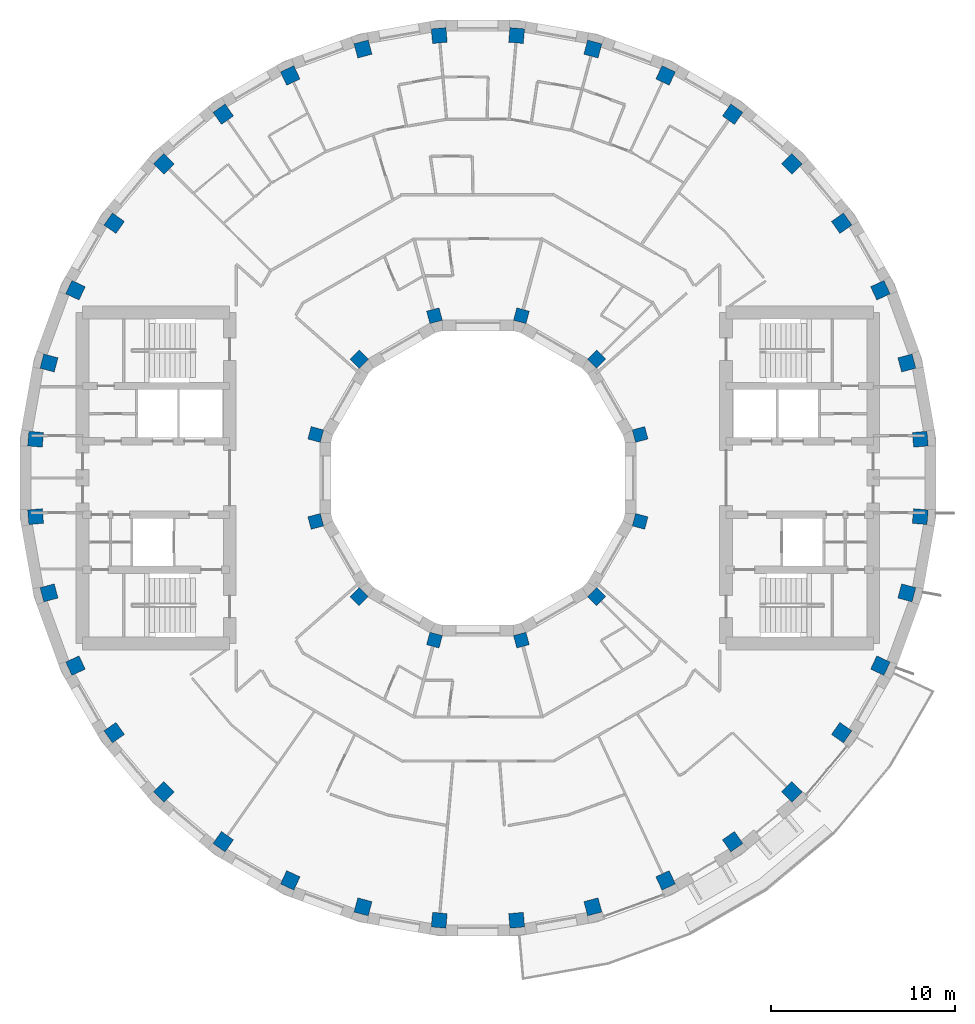
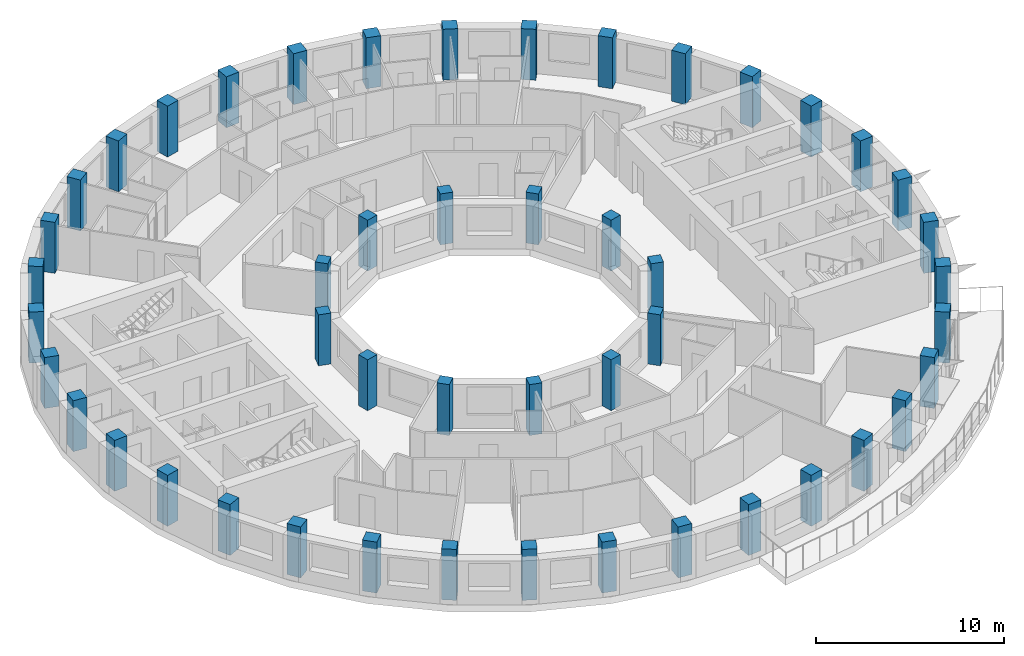
# One storey, part 1 of 15: 48 columns.
"""IFC4 building model written with IfcOpenShell, lengths in metres."""

import ifcopenshell
import ifcopenshell.guid

model = None  # the IFC model being written
_history = None  # IfcOwnerHistory: only IFC2X3 demands one
_inside = {}  # id of a spatial element -> (the spatial element, [elements in it])
_under = {}  # id of a project, library or spatial element -> (it, [spatial elements below it])
_declared = {}  # id of a project -> (the project, [libraries it declares])
_typed = {}  # id of a type object -> (the type object, [elements of that type])
_made_of = {}  # id of a material, layer set ... -> (it, [elements and type objects made of it])


def new_model(schema):
    """Start an empty IFC model of exactly this schema.

    Asked for "IFC4X3", IfcOpenShell would pick the latest addendum, in which some entities
    have other attributes; the version numbers below select the first issue.
    IFC2X3 requires an IfcOwnerHistory on every rooted entity: one is made here for all.
    """
    global model, _history
    if schema == "IFC4X3":
        model = ifcopenshell.file(schema_version=(4, 3, 0, 0))
    else:
        model = ifcopenshell.file(schema=schema)
    _inside.clear()
    _under.clear()
    _declared.clear()
    _typed.clear()
    _made_of.clear()
    _history = None
    if model.schema == "IFC2X3":
        org = make("IfcOrganization", Name="unknown")
        user = make(
            "IfcPersonAndOrganization",
            ThePerson=make("IfcPerson", FamilyName="unknown"),
            TheOrganization=org,
        )
        app = make(
            "IfcApplication",
            ApplicationDeveloper=org,
            Version="unknown",
            ApplicationFullName="unknown",
            ApplicationIdentifier="unknown",
        )
        _history = make(
            "IfcOwnerHistory",
            OwningUser=user,
            OwningApplication=app,
            ChangeAction="ADDED",
            CreationDate=0,
        )
    return model


def make(cls, **values):
    """One entity of the class cls with the attributes given. An attribute that is None is left unset."""
    return model.create_entity(
        cls, **{name: value for name, value in values.items() if value is not None}
    )


def rooted(cls, **values):
    """An entity with a GlobalId (a new one), such as an element, a storey or a relation."""
    return make(cls, GlobalId=ifcopenshell.guid.new(), OwnerHistory=_history, **values)


def si_unit(unit_type, name, prefix=None):
    """IfcSIUnit, for example si_unit("LENGTHUNIT", "METRE", prefix="MILLI")."""
    return make("IfcSIUnit", UnitType=unit_type, Prefix=prefix, Name=name)


def assignment(units):
    """IfcUnitAssignment: the units of a project."""
    return None if units is None else make("IfcUnitAssignment", Units=units)


def point(xyz):
    """IfcCartesianPoint."""
    return None if xyz is None else make("IfcCartesianPoint", Coordinates=xyz)


def direction(xyz):
    """IfcDirection."""
    return None if xyz is None else make("IfcDirection", DirectionRatios=xyz)


def frame(location, z_axis=None, x_axis=None):
    """IfcAxis2Placement3D, a coordinate frame: its origin and axes. An axis left out is left unset."""
    return make(
        "IfcAxis2Placement3D",
        Location=point(location),
        Axis=direction(z_axis),
        RefDirection=direction(x_axis),
    )


def frame_2d(location, x_axis=None):
    """IfcAxis2Placement2D, a coordinate frame in the plane: its origin and x axis."""
    return make(
        "IfcAxis2Placement2D", Location=point(location), RefDirection=direction(x_axis)
    )


def origin():
    """The frame at (0, 0, 0) with its axes left unset."""
    return frame((0.0, 0.0, 0.0))


def origin_2d():
    """The frame at (0, 0) in the plane with its x axis left unset."""
    return frame_2d((0.0, 0.0))


def place(relative_to, where):
    """IfcLocalPlacement: puts the frame where relative to a parent placement (None: the world)."""
    return make(
        "IfcLocalPlacement", PlacementRelTo=relative_to, RelativePlacement=where
    )


def context(
    kind, dimensions, precision=None, world=None, true_north=None, identifier=None
):
    """IfcGeometricRepresentationContext, for example the 3D "Model" context."""
    return make(
        "IfcGeometricRepresentationContext",
        ContextIdentifier=identifier,
        ContextType=kind,
        CoordinateSpaceDimension=dimensions,
        Precision=precision,
        WorldCoordinateSystem=world,
        TrueNorth=true_north,
    )


def subcontext(parent, identifier, kind, view, scale=None):
    """IfcGeometricRepresentationSubContext, for example "Body" below "Model"."""
    return make(
        "IfcGeometricRepresentationSubContext",
        ContextIdentifier=identifier,
        ContextType=kind,
        ParentContext=parent,
        TargetScale=scale,
        TargetView=view,
    )


def project(units=None, contexts=None):
    """IfcProject with its units and contexts."""
    return rooted(
        "IfcProject",
        Name="project",
        RepresentationContexts=contexts,
        UnitsInContext=assignment(units),
    )


def spatial(cls, under=None, at=None, **own):
    """A site, building, storey or space (cls), placed at a placement, below another one or the project."""
    s = rooted(cls, ObjectPlacement=at, **own)
    if under is not None:
        _under.setdefault(under.id(), (under, []))[1].append(s)
    return s


def profile(cls, at=None, kind="AREA", **sizes):
    """A parametric profile (cls). Its sizes go by their IFC names, for example OverallWidth=200.0."""
    return make(cls, ProfileType=kind, Position=at, **sizes)


def rectangle(**sizes):
    """IfcRectangleProfileDef."""
    return profile("IfcRectangleProfileDef", **sizes)


def extrude(swept, where, along, depth):
    """IfcExtrudedAreaSolid: the profile swept, set in the frame where, extruded along a direction by depth."""
    return make(
        "IfcExtrudedAreaSolid",
        SweptArea=swept,
        Position=where,
        ExtrudedDirection=direction(along),
        Depth=depth,
    )


def shape(context_of_items, identifier, shape_type, items):
    """IfcShapeRepresentation: the items that make up one representation, for example the "Body"."""
    return make(
        "IfcShapeRepresentation",
        ContextOfItems=context_of_items,
        RepresentationIdentifier=identifier,
        RepresentationType=shape_type,
        Items=items,
    )


def material(Name=None, Category=None):
    """IfcMaterial."""
    return make("IfcMaterial", Name=Name, Category=Category)


def material_profile(
    of_material, cross_section, Name=None, Category=None, Priority=None
):
    """IfcMaterialProfile: a cross section and its material."""
    return make(
        "IfcMaterialProfile",
        Name=Name,
        Material=of_material,
        Profile=cross_section,
        Priority=Priority,
        Category=Category,
    )


def profile_set(profiles, Name=None, composite=None):
    """IfcMaterialProfileSet."""
    return make(
        "IfcMaterialProfileSet",
        Name=Name,
        MaterialProfiles=profiles,
        CompositeProfile=composite,
    )


def made_of(thing, what):
    """Note that an element or type object is made of a material, layer set ...; save() writes the relation."""
    if what is not None:
        _made_of.setdefault(what.id(), (what, []))[1].append(thing)
    return thing


def type_object(cls, material=None, **own):
    """A type object (cls), such as IfcWallType, which elements share."""
    return made_of(rooted(cls, **own), material)


def element(
    cls,
    number,
    at=None,
    inside=None,
    cuts=None,
    type_object=None,
    material=None,
    context=None,
    identifier="Body",
    shape_type=None,
    held_by="IfcProductDefinitionShape",
    body=None,
    shapes=None,
    **own,
):
    """One element of the class cls, such as IfcWall. Its Tag is "e" and its number.

    at: its placement. inside: the storey or other place that contains it. cuts: it is an
    opening in that element (IfcRelVoidsElement). A single representation is given by context,
    identifier, shape_type and body (its items); several are given by shapes. held_by: the class
    of the entity that holds the representations. save() writes the other relations.
    """
    e = rooted(cls, Tag="e%d" % number, ObjectPlacement=at, **own)
    if body is not None:
        shapes = [shape(context, identifier, shape_type, body)]
    if shapes is not None:
        e.Representation = make(held_by, Representations=shapes)
    if inside is not None:
        _inside.setdefault(inside.id(), (inside, []))[1].append(e)
    if cuts is not None:
        rooted(
            "IfcRelVoidsElement", RelatingBuildingElement=cuts, RelatedOpeningElement=e
        )
    if type_object is not None:
        _typed.setdefault(type_object.id(), (type_object, []))[1].append(e)
    return made_of(e, material)


def aggregate(whole, parts):
    """IfcRelAggregates: a whole, such as a stair, and the parts it consists of."""
    return rooted("IfcRelAggregates", RelatingObject=whole, RelatedObjects=parts)


def save(model, path):
    """Write the relations noted so far, then the file.

    IfcRelAggregates (storeys below a building ...), IfcRelContainedInSpatialStructure (elements
    in a storey), IfcRelDefinesByType, IfcRelAssociatesMaterial and IfcRelDeclares: one each for
    every whole, place, type object, material and project.
    """
    for whole, parts in _under.values():
        aggregate(whole, parts)
    for where, things in _inside.values():
        rooted(
            "IfcRelContainedInSpatialStructure",
            RelatedElements=things,
            RelatingStructure=where,
        )
    for kind, things in _typed.values():
        rooted("IfcRelDefinesByType", RelatedObjects=things, RelatingType=kind)
    for what, things in _made_of.values():
        rooted("IfcRelAssociatesMaterial", RelatedObjects=things, RelatingMaterial=what)
    for by, libraries in _declared.values():
        rooted("IfcRelDeclares", RelatingContext=by, RelatedDefinitions=libraries)
    model.write(path)


model = new_model("IFC4")

# Units and contexts
model_context = context("Model", 3, precision=1e-05, world=origin(), true_north=direction((0.0, 1.0)))
body_context = subcontext(model_context, "Body", "Model", "MODEL_VIEW")
ifc_project = project(units=[si_unit("LENGTHUNIT", "METRE"), si_unit("AREAUNIT", "SQUARE_METRE"), si_unit("VOLUMEUNIT", "CUBIC_METRE"), si_unit("PLANEANGLEUNIT", "RADIAN"), si_unit("MASSUNIT", "GRAM", prefix="KILO")], contexts=[model_context])

# Site, building, storey
site_placement = place(None, origin())
site = spatial("IfcSite", under=ifc_project, at=site_placement, CompositionType="ELEMENT")
building_placement = place(site_placement, origin())
building = spatial("IfcBuilding", under=site, at=building_placement, Name="Saqina Gate Tower", CompositionType="ELEMENT")
storey_placement = place(building_placement, frame((0.0, 0.0, 167.39990234375)))
storey = spatial("IfcBuildingStorey", under=building, at=storey_placement, Name="L47", CompositionType="ELEMENT", Elevation=167.39990234375)

# Columns
ifc_material_1 = material(Name="Concrete C60/75", Category="concrete")
ifc_material_profile_1 = material_profile(ifc_material_1, rectangle(XDim=0.699951171875, YDim=0.699951171875, at=origin_2d()), Name="RC 700x700")
ifc_profile_set_1 = profile_set([ifc_material_profile_1], Name="Concrete C60/75")
column_type_1 = type_object("IfcColumnType", Name="STR-COL-IN-C", PredefinedType="COLUMN", material=ifc_profile_set_1)
for number, where, z_axis, x_axis, name in (
    (1, (8.821044921875, 2.363525390625, 0.0), (0.0, 0.0, 1.0), (0.965925826289, 0.258819045103, 0.0), "L47-ICL01"),
    (2, (6.45751953125, 6.45751953125, 0.0), (0.0, 0.0, 1.0), (0.707106781187, 0.707106781187, 0.0), "L47-ICL02"),
    (3, (2.363525390625, 8.821044921875, 0.0), (0.0, 0.0, 1.0), (0.258819045103, 0.965925826289, 0.0), "L47-ICL03"),
    (4, (-2.363525390625, 8.821044921875, 0.0), (0.0, 0.0, 1.0), (-0.258819045103, 0.965925826289, 0.0), "L47-ICL04"),
    (5, (-6.45751953125, 6.45751953125, 0.0), (0.0, 0.0, 1.0), (-0.707106781187, 0.707106781187, 0.0), "L47-ICL05"),
    (6, (-8.821044921875, 2.363525390625, 0.0), (0.0, 0.0, 1.0), (-0.965925826289, 0.258819045103, 0.0), "L47-ICL06"),
    (7, (-8.821044921875, -2.363525390625, 0.0), (0.0, 0.0, 1.0), (-0.965925826289, -0.258819045103, 0.0), "L47-ICL07"),
    (8, (-6.45751953125, -6.45751953125, 0.0), (0.0, 0.0, 1.0), (-0.707106781187, -0.707106781187, 0.0), "L47-ICL08"),
    (9, (-2.363525390625, -8.821044921875, 0.0), (0.0, 0.0, 1.0), (-0.258819045103, -0.965925826289, 0.0), "L47-ICL09"),
    (10, (2.363525390625, -8.821044921875, 0.0), (0.0, 0.0, 1.0), (0.258819045103, -0.965925826289, 0.0), "L47-ICL10"),
    (11, (6.45751953125, -6.45751953125, 0.0), (0.0, 0.0, 1.0), (0.707106781187, -0.707106781187, 0.0), "L47-ICL11"),
    (12, (8.821044921875, -2.363525390625, 0.0), (0.0, 0.0, 1.0), (0.965925826289, -0.258819045103, 0.0), "L47-ICL12"),
):
    element("IfcColumn", number, at=place(storey_placement, frame(where, z_axis=z_axis, x_axis=x_axis)), inside=storey, type_object=column_type_1, Name=name, PredefinedType="COLUMN", context=body_context, shape_type="SweptSolid", body=[
        extrude(rectangle(XDim=0.699951171875, YDim=0.699951171875, at=origin_2d()), origin(), (0.0, 0.0, 1.0), 3.300048828125),
    ])
ifc_material_2 = material(Name="Concrete C60/75", Category="concrete")
ifc_material_profile_2 = material_profile(ifc_material_2, rectangle(XDim=0.800048828125, YDim=0.800048828125, at=origin_2d()), Name="RC 800x800")
ifc_profile_set_2 = profile_set([ifc_material_profile_2], Name="Concrete C60/75")
column_type_2 = type_object("IfcColumnType", Name="STR-COL-OUT-C", PredefinedType="COLUMN", material=ifc_profile_set_2)
for number, where, z_axis, x_axis, name in (
    (13, (24.05810546875, 2.104736328125, 0.0), (0.0, 0.0, 1.0), (0.996194698092, 0.087155742748, 0.0), "L47-COL01"),
    (14, (23.3271484375, 6.25048828125, 0.0), (0.0, 0.0, 1.0), (0.965925826289, 0.258819045103, 0.0), "L47-COL02"),
    (15, (21.887451171875, 10.206298828125, 0.0), (0.0, 0.0, 1.0), (0.906307787037, 0.422618261741, 0.0), "L47-COL03"),
    (16, (19.782470703125, 13.851806640625, 0.0), (0.0, 0.0, 1.0), (0.819152044289, 0.573576436351, 0.0), "L47-COL04"),
    (17, (17.07666015625, 17.07666015625, 0.0), (0.0, 0.0, 1.0), (0.707106781187, 0.707106781187, 0.0), "L47-COL05"),
    (18, (13.851806640625, 19.782470703125, 0.0), (0.0, 0.0, 1.0), (0.573576436351, 0.819152044289, 0.0), "L47-COL06"),
    (19, (10.206298828125, 21.887451171875, 0.0), (0.0, 0.0, 1.0), (0.422618261741, 0.906307787037, 0.0), "L47-COL07"),
    (20, (6.25048828125, 23.3271484375, 0.0), (0.0, 0.0, 1.0), (0.258819045103, 0.965925826289, 0.0), "L47-COL08"),
    (21, (2.104736328125, 24.05810546875, 0.0), (0.0, 0.0, 1.0), (0.087155742748, 0.996194698092, 0.0), "L47-COL09"),
    (22, (-2.104736328125, 24.05810546875, 0.0), (0.0, 0.0, 1.0), (-0.087155742748, 0.996194698092, 0.0), "L47-COL10"),
    (23, (-6.25048828125, 23.3271484375, 0.0), (0.0, 0.0, 1.0), (-0.258819045103, 0.965925826289, 0.0), "L47-COL11"),
    (24, (-10.206298828125, 21.887451171875, 0.0), (0.0, 0.0, 1.0), (-0.422618261741, 0.906307787037, 0.0), "L47-COL12"),
    (25, (-13.851806640625, 19.782470703125, 0.0), (0.0, 0.0, 1.0), (-0.573576436351, 0.819152044289, 0.0), "L47-COL13"),
    (26, (-17.07666015625, 17.07666015625, 0.0), (0.0, 0.0, 1.0), (-0.707106781187, 0.707106781187, 0.0), "L47-COL14"),
    (27, (-19.782470703125, 13.851806640625, 0.0), (0.0, 0.0, 1.0), (-0.819152044289, 0.573576436351, 0.0), "L47-COL15"),
    (28, (-21.887451171875, 10.206298828125, 0.0), (0.0, 0.0, 1.0), (-0.906307787037, 0.422618261741, 0.0), "L47-COL16"),
    (29, (-23.3271484375, 6.25048828125, 0.0), (0.0, 0.0, 1.0), (-0.965925826289, 0.258819045103, 0.0), "L47-COL17"),
    (30, (-24.05810546875, 2.104736328125, 0.0), (0.0, 0.0, 1.0), (-0.996194698092, 0.087155742748, 0.0), "L47-COL18"),
    (31, (-24.05810546875, -2.104736328125, 0.0), (0.0, 0.0, 1.0), (-0.996194698092, -0.087155742748, 0.0), "L47-COL19"),
    (32, (-23.3271484375, -6.25048828125, 0.0), (0.0, 0.0, 1.0), (-0.965925826289, -0.258819045103, 0.0), "L47-COL20"),
    (33, (-21.887451171875, -10.206298828125, 0.0), (0.0, 0.0, 1.0), (-0.906307787037, -0.422618261741, 0.0), "L47-COL21"),
    (34, (-19.782470703125, -13.851806640625, 0.0), (0.0, 0.0, 1.0), (-0.819152044289, -0.573576436351, 0.0), "L47-COL22"),
    (35, (-17.07666015625, -17.07666015625, 0.0), (0.0, 0.0, 1.0), (-0.707106781187, -0.707106781187, 0.0), "L47-COL23"),
    (36, (-13.851806640625, -19.782470703125, 0.0), (0.0, 0.0, 1.0), (-0.573576436351, -0.819152044289, 0.0), "L47-COL24"),
    (37, (-10.206298828125, -21.887451171875, 0.0), (0.0, 0.0, 1.0), (-0.422618261741, -0.906307787037, 0.0), "L47-COL25"),
    (38, (-6.25048828125, -23.3271484375, 0.0), (0.0, 0.0, 1.0), (-0.258819045103, -0.965925826289, 0.0), "L47-COL26"),
    (39, (-2.104736328125, -24.05810546875, 0.0), (0.0, 0.0, 1.0), (-0.087155742748, -0.996194698092, 0.0), "L47-COL27"),
    (40, (2.104736328125, -24.05810546875, 0.0), (0.0, 0.0, 1.0), (0.087155742748, -0.996194698092, 0.0), "L47-COL28"),
    (41, (6.25048828125, -23.3271484375, 0.0), (0.0, 0.0, 1.0), (0.258819045103, -0.965925826289, 0.0), "L47-COL29"),
    (42, (10.206298828125, -21.887451171875, 0.0), (0.0, 0.0, 1.0), (0.422618261741, -0.906307787037, 0.0), "L47-COL30"),
    (43, (13.851806640625, -19.782470703125, 0.0), (0.0, 0.0, 1.0), (0.573576436351, -0.819152044289, 0.0), "L47-COL31"),
    (44, (17.07666015625, -17.07666015625, 0.0), (0.0, 0.0, 1.0), (0.707106781187, -0.707106781187, 0.0), "L47-COL32"),
    (45, (19.782470703125, -13.851806640625, 0.0), (0.0, 0.0, 1.0), (0.819152044289, -0.573576436351, 0.0), "L47-COL33"),
    (46, (21.887451171875, -10.206298828125, 0.0), (0.0, 0.0, 1.0), (0.906307787037, -0.422618261741, 0.0), "L47-COL34"),
    (47, (23.3271484375, -6.25048828125, 0.0), (0.0, 0.0, 1.0), (0.965925826289, -0.258819045103, 0.0), "L47-COL35"),
    (48, (24.05810546875, -2.104736328125, 0.0), (0.0, 0.0, 1.0), (0.996194698092, -0.087155742748, 0.0), "L47-COL36"),
):
    element("IfcColumn", number, at=place(storey_placement, frame(where, z_axis=z_axis, x_axis=x_axis)), inside=storey, type_object=column_type_2, Name=name, PredefinedType="COLUMN", context=body_context, shape_type="SweptSolid", body=[
        extrude(rectangle(XDim=0.800048828125, YDim=0.800048828125, at=origin_2d()), origin(), (0.0, 0.0, 1.0), 3.300048828125),
    ])

save(model, "model.ifc")
